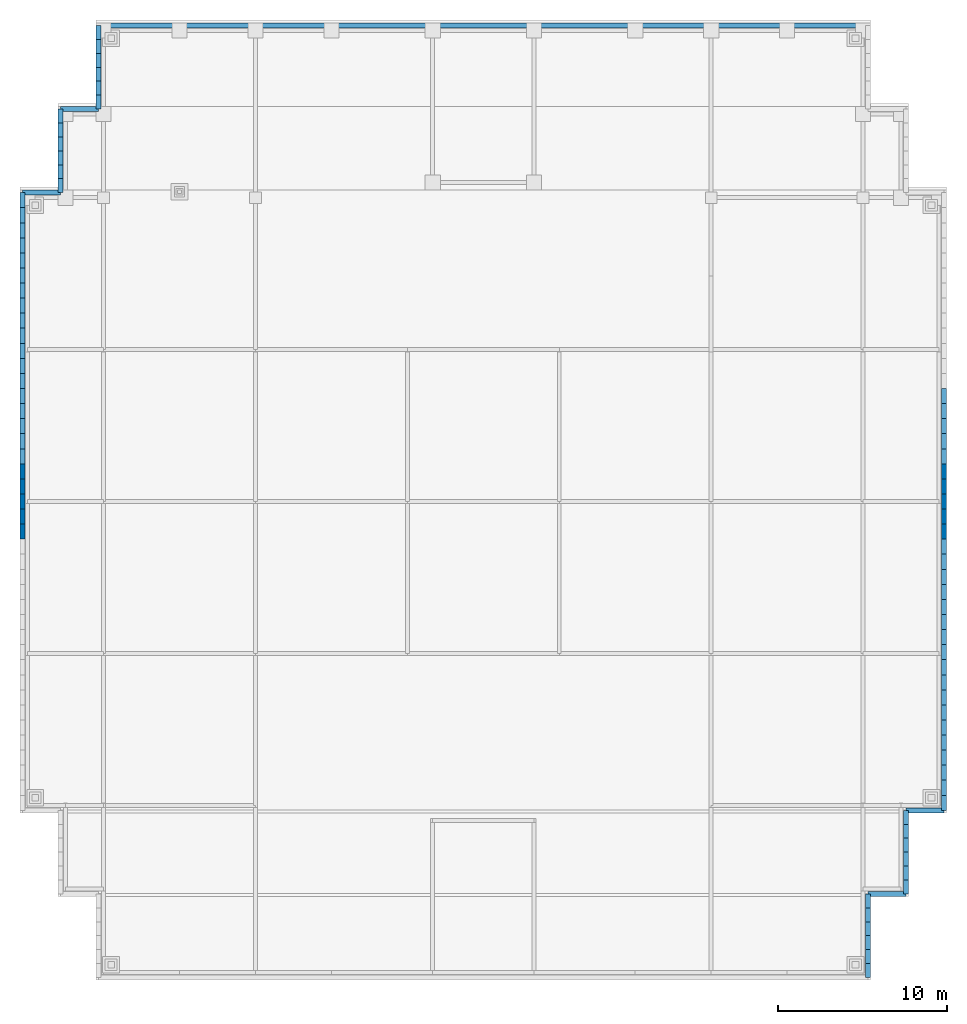
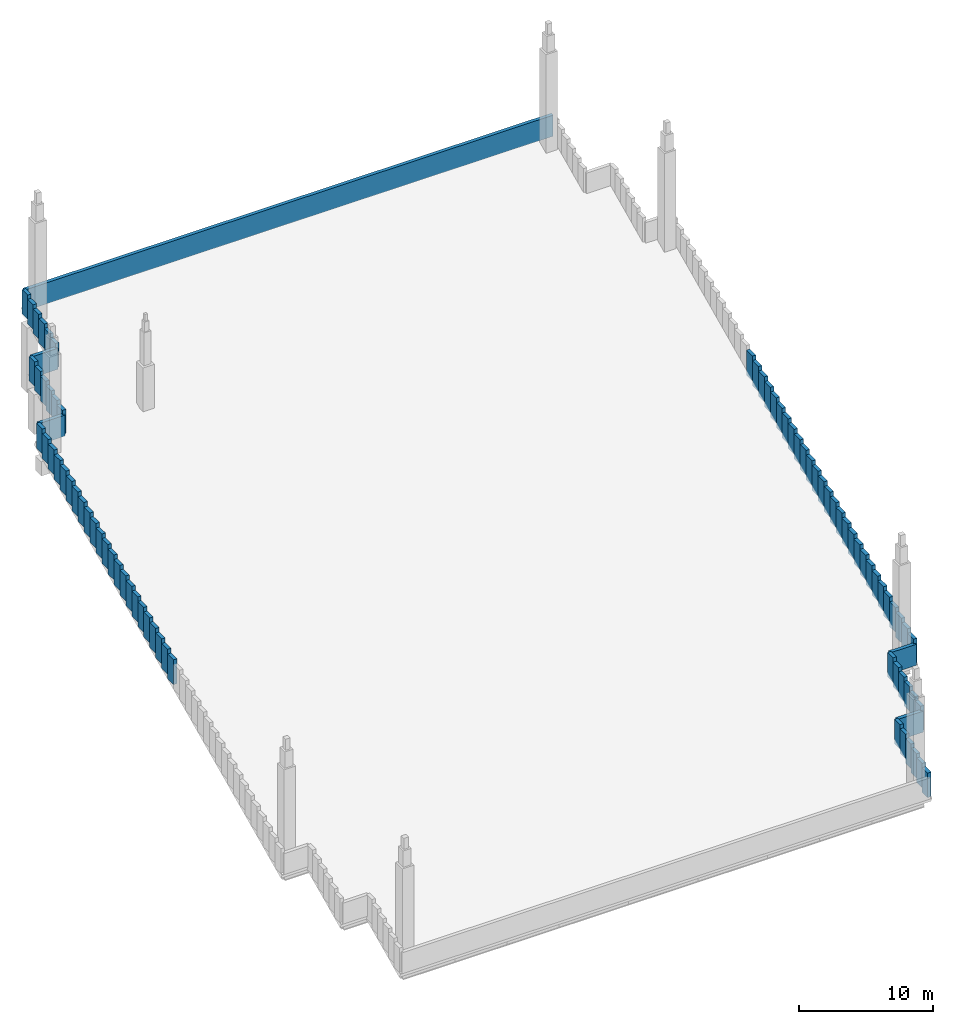
# One storey, part 3 of 5: 80 walls.
"""IFC4 building model written with IfcOpenShell, lengths in metres."""

from ifc_helpers import new_model, si_unit, direction, frame, frame_2d, origin, place, context, subcontext, project, spatial, rectangle, extrude, material, layer, layer_set, type_object, element, save


model = new_model("IFC4")

# Units and contexts
model_context = context("Model", 3, precision=1e-05, world=origin(), true_north=direction((0.0, 1.0)))
body_context = subcontext(model_context, "Body", "Model", "MODEL_VIEW")
ifc_project = project(units=[si_unit("LENGTHUNIT", "METRE"), si_unit("AREAUNIT", "SQUARE_METRE"), si_unit("VOLUMEUNIT", "CUBIC_METRE"), si_unit("PLANEANGLEUNIT", "RADIAN"), si_unit("MASSUNIT", "GRAM", prefix="KILO")], contexts=[model_context])

# Site, building, storey
site_placement = place(None, origin())
site = spatial("IfcSite", under=ifc_project, at=site_placement, CompositionType="ELEMENT")
building_placement = place(site_placement, origin())
building = spatial("IfcBuilding", under=site, at=building_placement, Name="Corbelhall Arena Tower", CompositionType="ELEMENT")
storey_placement = place(building_placement, frame((0.0, 0.0, 391.0)))
storey = spatial("IfcBuildingStorey", under=building, at=storey_placement, Name="Roof", CompositionType="ELEMENT", Elevation=391.0)

# Walls
ifc_material = material(Name="Precast concrete C40/50 with granite facing", Category="masonry")
ifc_layer = layer(ifc_material, 0.300048828125)
ifc_layer_set = layer_set([ifc_layer], Name="EV-IW3 Parapet 300")
wall_type = type_object("IfcWallType", Name="EV-IW3 Parapet 300", PredefinedType="SOLIDWALL", material=ifc_layer_set)
for number, where, z_axis, x_axis, name in (
    (1, (-25.050048828125, 18.300048828125, 2.52685546875), (0.0, 0.0, 1.0), (0.0, 1.0, 0.0), "Roof parapet"),
    (2, (-25.050048828125, 19.125, 2.911376953125), (0.0, 0.0, 1.0), (0.0, 1.0, 0.0), "Roof parapet"),
    (3, (-25.050048828125, 19.949951171875, 3.295654296875), (0.0, 0.0, 1.0), (0.0, 1.0, 0.0), "Roof parapet"),
):
    element("IfcWall", number, at=place(storey_placement, frame(where, z_axis=z_axis, x_axis=x_axis)), inside=storey, type_object=wall_type, Name=name, PredefinedType="SOLIDWALL", context=body_context, shape_type="SweptSolid", body=[
        extrude(rectangle(XDim=0.824951171875, YDim=0.300048828125, at=frame_2d((0.41259765625, 0.0))), origin(), (0.0, 0.0, 1.0), 2.234375),
    ])
wall_1_placement = place(storey_placement, frame((-25.050048828125, 20.77490234375, 3.68017578125), z_axis=(0.0, 0.0, 1.0), x_axis=(0.0, 1.0, 0.0)))
element("IfcWall", 4, at=wall_1_placement, inside=storey, type_object=wall_type, Name="Roof parapet", PredefinedType="SOLIDWALL", context=body_context, shape_type="SweptSolid", body=[
    extrude(rectangle(XDim=0.8251953125, YDim=0.300048828125, at=frame_2d((0.41259765625, 0.0))), origin(), (0.0, 0.0, 1.0), 2.234375),
])
for number, where, z_axis, x_axis, name in (
    (5, (-25.050048828125, 21.60009765625, 4.064453125), (0.0, 0.0, 1.0), (0.0, 1.0, 0.0), "Roof parapet"),
    (6, (-25.050048828125, 22.425048828125, 4.448974609375), (0.0, 0.0, 1.0), (0.0, 1.0, 0.0), "Roof parapet"),
):
    element("IfcWall", number, at=place(storey_placement, frame(where, z_axis=z_axis, x_axis=x_axis)), inside=storey, type_object=wall_type, Name=name, PredefinedType="SOLIDWALL", context=body_context, shape_type="SweptSolid", body=[
        extrude(rectangle(XDim=0.824951171875, YDim=0.300048828125, at=frame_2d((0.41259765625, 0.0))), origin(), (0.0, 0.0, 1.0), 2.234375),
    ])
wall_2_placement = place(storey_placement, frame((-25.050048828125, 23.25, 4.763427734375), z_axis=(0.0, 0.0, 1.0), x_axis=(1.0, 0.0, 0.0)))
element("IfcWall", 7, at=wall_2_placement, inside=storey, type_object=wall_type, Name="Roof parapet", PredefinedType="SOLIDWALL", context=body_context, shape_type="SweptSolid", body=[
    extrude(rectangle(XDim=2.25, YDim=0.300048828125, at=frame_2d((1.125, 0.0))), origin(), (0.0, 0.0, 1.0), 1.919921875),
])
for number, where, z_axis, x_axis, name in (
    (8, (-22.800048828125, 23.25, 4.833251953125), (0.0, 0.0, 1.0), (0.0, 1.0, 0.0), "Roof parapet"),
    (9, (-22.800048828125, 24.074951171875, 5.2177734375), (0.0, 0.0, 1.0), (0.0, 1.0, 0.0), "Roof parapet"),
):
    element("IfcWall", number, at=place(storey_placement, frame(where, z_axis=z_axis, x_axis=x_axis)), inside=storey, type_object=wall_type, Name=name, PredefinedType="SOLIDWALL", context=body_context, shape_type="SweptSolid", body=[
        extrude(rectangle(XDim=0.824951171875, YDim=0.300048828125, at=frame_2d((0.41259765625, 0.0))), origin(), (0.0, 0.0, 1.0), 2.234375),
    ])
wall_3_placement = place(storey_placement, frame((-22.800048828125, 24.89990234375, 5.60205078125), z_axis=(0.0, 0.0, 1.0), x_axis=(0.0, 1.0, 0.0)))
element("IfcWall", 10, at=wall_3_placement, inside=storey, type_object=wall_type, Name="Roof parapet", PredefinedType="SOLIDWALL", context=body_context, shape_type="SweptSolid", body=[
    extrude(rectangle(XDim=0.8251953125, YDim=0.300048828125, at=frame_2d((0.41259765625, 0.0))), origin(), (0.0, 0.0, 1.0), 2.234619140625),
])
wall_4_placement = place(storey_placement, frame((-22.800048828125, 25.72509765625, 5.986572265625), z_axis=(0.0, 0.0, 1.0), x_axis=(0.0, 1.0, 0.0)))
element("IfcWall", 11, at=wall_4_placement, inside=storey, type_object=wall_type, Name="Roof parapet", PredefinedType="SOLIDWALL", context=body_context, shape_type="SweptSolid", body=[
    extrude(rectangle(XDim=0.824951171875, YDim=0.300048828125, at=frame_2d((0.41259765625, 0.0))), origin(), (0.0, 0.0, 1.0), 2.234375),
])
wall_5_placement = place(storey_placement, frame((-22.800048828125, 26.550048828125, 6.370849609375), z_axis=(0.0, 0.0, 1.0), x_axis=(0.0, 1.0, 0.0)))
element("IfcWall", 12, at=wall_5_placement, inside=storey, type_object=wall_type, Name="Roof parapet", PredefinedType="SOLIDWALL", context=body_context, shape_type="SweptSolid", body=[
    extrude(rectangle(XDim=0.824951171875, YDim=0.300048828125, at=frame_2d((0.41259765625, 0.0))), origin(), (0.0, 0.0, 1.0), 2.234619140625),
])
wall_6_placement = place(storey_placement, frame((-22.800048828125, 27.375, 6.75537109375), z_axis=(0.0, 0.0, 1.0), x_axis=(0.0, 1.0, 0.0)))
element("IfcWall", 13, at=wall_6_placement, inside=storey, type_object=wall_type, Name="Roof parapet", PredefinedType="SOLIDWALL", context=body_context, shape_type="SweptSolid", body=[
    extrude(rectangle(XDim=0.824951171875, YDim=0.300048828125, at=frame_2d((0.41259765625, 0.0))), origin(), (0.0, 0.0, 1.0), 2.234375),
])
wall_7_placement = place(storey_placement, frame((-22.800048828125, 28.199951171875, 7.06982421875), z_axis=(0.0, 0.0, 1.0), x_axis=(1.0, 0.0, 0.0)))
element("IfcWall", 14, at=wall_7_placement, inside=storey, type_object=wall_type, Name="Roof parapet", PredefinedType="SOLIDWALL", context=body_context, shape_type="SweptSolid", body=[
    extrude(rectangle(XDim=45.60009765625, YDim=0.300048828125, at=frame_2d((22.800048828125, 0.0))), origin(), (0.0, 0.0, 1.0), 1.919921875),
])
wall_8_placement = place(storey_placement, frame((27.300048828125, 6.695068359375, -3.29638671875), z_axis=(0.0, 0.0, 1.0), x_axis=(0.0, -1.0, 0.0)))
element("IfcWall", 15, at=wall_8_placement, inside=storey, type_object=wall_type, Name="Roof parapet", PredefinedType="SOLIDWALL", context=body_context, shape_type="SweptSolid", body=[
    extrude(rectangle(XDim=0.892578125, YDim=0.300048828125, at=frame_2d((0.4462890625, 0.0))), origin(), (0.0, 0.0, 1.0), 2.265869140625),
])
wall_9_placement = place(storey_placement, frame((27.300048828125, 5.802490234375, -3.71240234375), z_axis=(0.0, 0.0, 1.0), x_axis=(0.0, -1.0, 0.0)))
element("IfcWall", 16, at=wall_9_placement, inside=storey, type_object=wall_type, Name="Roof parapet", PredefinedType="SOLIDWALL", context=body_context, shape_type="SweptSolid", body=[
    extrude(rectangle(XDim=0.892822265625, YDim=0.300048828125, at=frame_2d((0.4462890625, 0.0))), origin(), (0.0, 0.0, 1.0), 2.26611328125),
])
for number, where, z_axis, x_axis, name in (
    (17, (27.300048828125, 4.90966796875, -4.128173828125), (0.0, 0.0, 1.0), (0.0, -1.0, 0.0), "Roof parapet"),
    (18, (27.300048828125, 4.01708984375, -4.544189453125), (0.0, 0.0, 1.0), (0.0, -1.0, 0.0), "Roof parapet"),
):
    element("IfcWall", number, at=place(storey_placement, frame(where, z_axis=z_axis, x_axis=x_axis)), inside=storey, type_object=wall_type, Name=name, PredefinedType="SOLIDWALL", context=body_context, shape_type="SweptSolid", body=[
        extrude(rectangle(XDim=0.892578125, YDim=0.300048828125, at=frame_2d((0.4462890625, 0.0))), origin(), (0.0, 0.0, 1.0), 2.265869140625),
    ])
wall_10_placement = place(storey_placement, frame((27.300048828125, 3.12451171875, -4.960205078125), z_axis=(0.0, 0.0, 1.0), x_axis=(0.0, -1.0, 0.0)))
element("IfcWall", 19, at=wall_10_placement, inside=storey, type_object=wall_type, Name="Roof parapet", PredefinedType="SOLIDWALL", context=body_context, shape_type="SweptSolid", body=[
    extrude(rectangle(XDim=0.892822265625, YDim=0.300048828125, at=frame_2d((0.4462890625, 0.0))), origin(), (0.0, 0.0, 1.0), 2.26611328125),
])
wall_11_placement = place(storey_placement, frame((27.300048828125, 2.231689453125, -5.3759765625), z_axis=(0.0, 0.0, 1.0), x_axis=(0.0, -1.0, 0.0)))
element("IfcWall", 20, at=wall_11_placement, inside=storey, type_object=wall_type, Name="Roof parapet", PredefinedType="SOLIDWALL", context=body_context, shape_type="SweptSolid", body=[
    extrude(rectangle(XDim=0.892578125, YDim=0.300048828125, at=frame_2d((0.4462890625, 0.0))), origin(), (0.0, 0.0, 1.0), 2.265869140625),
])
wall_12_placement = place(storey_placement, frame((27.300048828125, 1.339111328125, -5.7919921875), z_axis=(0.0, 0.0, 1.0), x_axis=(0.0, -1.0, 0.0)))
element("IfcWall", 21, at=wall_12_placement, inside=storey, type_object=wall_type, Name="Roof parapet", PredefinedType="SOLIDWALL", context=body_context, shape_type="SweptSolid", body=[
    extrude(rectangle(XDim=0.892822265625, YDim=0.300048828125, at=frame_2d((0.4462890625, 0.0))), origin(), (0.0, 0.0, 1.0), 2.265869140625),
])
wall_13_placement = place(storey_placement, frame((27.300048828125, 0.4462890625, -6.2080078125), z_axis=(0.0, 0.0, 1.0), x_axis=(0.0, -1.0, 0.0)))
element("IfcWall", 22, at=wall_13_placement, inside=storey, type_object=wall_type, Name="Roof parapet", PredefinedType="SOLIDWALL", context=body_context, shape_type="SweptSolid", body=[
    extrude(rectangle(XDim=0.892578125, YDim=0.300048828125, at=frame_2d((0.4462890625, 0.0))), origin(), (0.0, 0.0, 1.0), 2.265869140625),
])
wall_14_placement = place(storey_placement, frame((27.300048828125, -0.4462890625, -6.6240234375), z_axis=(0.0, 0.0, 1.0), x_axis=(0.0, -1.0, 0.0)))
element("IfcWall", 23, at=wall_14_placement, inside=storey, type_object=wall_type, Name="Roof parapet", PredefinedType="SOLIDWALL", context=body_context, shape_type="SweptSolid", body=[
    extrude(rectangle(XDim=0.892822265625, YDim=0.300048828125, at=frame_2d((0.4462890625, 0.0))), origin(), (0.0, 0.0, 1.0), 2.26611328125),
])
wall_15_placement = place(storey_placement, frame((27.300048828125, -1.339111328125, -7.039794921875), z_axis=(0.0, 0.0, 1.0), x_axis=(0.0, -1.0, 0.0)))
element("IfcWall", 24, at=wall_15_placement, inside=storey, type_object=wall_type, Name="Roof parapet", PredefinedType="SOLIDWALL", context=body_context, shape_type="SweptSolid", body=[
    extrude(rectangle(XDim=0.892578125, YDim=0.300048828125, at=frame_2d((0.4462890625, 0.0))), origin(), (0.0, 0.0, 1.0), 2.265869140625),
])
wall_16_placement = place(storey_placement, frame((27.300048828125, -2.231689453125, -7.455810546875), z_axis=(0.0, 0.0, 1.0), x_axis=(0.0, -1.0, 0.0)))
element("IfcWall", 25, at=wall_16_placement, inside=storey, type_object=wall_type, Name="Roof parapet", PredefinedType="SOLIDWALL", context=body_context, shape_type="SweptSolid", body=[
    extrude(rectangle(XDim=0.892822265625, YDim=0.300048828125, at=frame_2d((0.4462890625, 0.0))), origin(), (0.0, 0.0, 1.0), 2.265869140625),
])
wall_17_placement = place(storey_placement, frame((27.300048828125, -3.12451171875, -7.871826171875), z_axis=(0.0, 0.0, 1.0), x_axis=(0.0, -1.0, 0.0)))
element("IfcWall", 26, at=wall_17_placement, inside=storey, type_object=wall_type, Name="Roof parapet", PredefinedType="SOLIDWALL", context=body_context, shape_type="SweptSolid", body=[
    extrude(rectangle(XDim=0.892578125, YDim=0.300048828125, at=frame_2d((0.4462890625, 0.0))), origin(), (0.0, 0.0, 1.0), 2.26611328125),
])
wall_18_placement = place(storey_placement, frame((27.300048828125, -4.01708984375, -8.28759765625), z_axis=(0.0, 0.0, 1.0), x_axis=(0.0, -1.0, 0.0)))
element("IfcWall", 27, at=wall_18_placement, inside=storey, type_object=wall_type, Name="Roof parapet", PredefinedType="SOLIDWALL", context=body_context, shape_type="SweptSolid", body=[
    extrude(rectangle(XDim=0.892578125, YDim=0.300048828125, at=frame_2d((0.4462890625, 0.0))), origin(), (0.0, 0.0, 1.0), 2.265869140625),
])
wall_19_placement = place(storey_placement, frame((27.300048828125, -4.90966796875, -8.70361328125), z_axis=(0.0, 0.0, 1.0), x_axis=(0.0, -1.0, 0.0)))
element("IfcWall", 28, at=wall_19_placement, inside=storey, type_object=wall_type, Name="Roof parapet", PredefinedType="SOLIDWALL", context=body_context, shape_type="SweptSolid", body=[
    extrude(rectangle(XDim=0.892822265625, YDim=0.300048828125, at=frame_2d((0.4462890625, 0.0))), origin(), (0.0, 0.0, 1.0), 2.265869140625),
])
wall_20_placement = place(storey_placement, frame((27.300048828125, -5.802490234375, -9.11962890625), z_axis=(0.0, 0.0, 1.0), x_axis=(0.0, -1.0, 0.0)))
element("IfcWall", 29, at=wall_20_placement, inside=storey, type_object=wall_type, Name="Roof parapet", PredefinedType="SOLIDWALL", context=body_context, shape_type="SweptSolid", body=[
    extrude(rectangle(XDim=0.892578125, YDim=0.300048828125, at=frame_2d((0.4462890625, 0.0))), origin(), (0.0, 0.0, 1.0), 2.265869140625),
])
wall_21_placement = place(storey_placement, frame((27.300048828125, -6.695068359375, -9.53564453125), z_axis=(0.0, 0.0, 1.0), x_axis=(0.0, -1.0, 0.0)))
element("IfcWall", 30, at=wall_21_placement, inside=storey, type_object=wall_type, Name="Roof parapet", PredefinedType="SOLIDWALL", context=body_context, shape_type="SweptSolid", body=[
    extrude(rectangle(XDim=0.892822265625, YDim=0.300048828125, at=frame_2d((0.4462890625, 0.0))), origin(), (0.0, 0.0, 1.0), 2.26611328125),
])
wall_22_placement = place(storey_placement, frame((27.300048828125, -7.587890625, -9.951416015625), z_axis=(0.0, 0.0, 1.0), x_axis=(0.0, -1.0, 0.0)))
element("IfcWall", 31, at=wall_22_placement, inside=storey, type_object=wall_type, Name="Roof parapet", PredefinedType="SOLIDWALL", context=body_context, shape_type="SweptSolid", body=[
    extrude(rectangle(XDim=0.892578125, YDim=0.300048828125, at=frame_2d((0.4462890625, 0.0))), origin(), (0.0, 0.0, 1.0), 2.265869140625),
])
wall_23_placement = place(storey_placement, frame((27.300048828125, -8.48046875, -10.367431640625), z_axis=(0.0, 0.0, 1.0), x_axis=(0.0, -1.0, 0.0)))
element("IfcWall", 32, at=wall_23_placement, inside=storey, type_object=wall_type, Name="Roof parapet", PredefinedType="SOLIDWALL", context=body_context, shape_type="SweptSolid", body=[
    extrude(rectangle(XDim=0.892822265625, YDim=0.300048828125, at=frame_2d((0.4462890625, 0.0))), origin(), (0.0, 0.0, 1.0), 2.265869140625),
])
wall_24_placement = place(storey_placement, frame((27.300048828125, -9.373291015625, -10.783447265625), z_axis=(0.0, 0.0, 1.0), x_axis=(0.0, -1.0, 0.0)))
element("IfcWall", 33, at=wall_24_placement, inside=storey, type_object=wall_type, Name="Roof parapet", PredefinedType="SOLIDWALL", context=body_context, shape_type="SweptSolid", body=[
    extrude(rectangle(XDim=0.892578125, YDim=0.300048828125, at=frame_2d((0.4462890625, 0.0))), origin(), (0.0, 0.0, 1.0), 2.26611328125),
])
wall_25_placement = place(storey_placement, frame((27.300048828125, -10.265869140625, -11.19921875), z_axis=(0.0, 0.0, 1.0), x_axis=(0.0, -1.0, 0.0)))
element("IfcWall", 34, at=wall_25_placement, inside=storey, type_object=wall_type, Name="Roof parapet", PredefinedType="SOLIDWALL", context=body_context, shape_type="SweptSolid", body=[
    extrude(rectangle(XDim=0.892578125, YDim=0.300048828125, at=frame_2d((0.4462890625, 0.0))), origin(), (0.0, 0.0, 1.0), 2.265869140625),
])
wall_26_placement = place(storey_placement, frame((27.300048828125, -11.158447265625, -11.615234375), z_axis=(0.0, 0.0, 1.0), x_axis=(0.0, -1.0, 0.0)))
element("IfcWall", 35, at=wall_26_placement, inside=storey, type_object=wall_type, Name="Roof parapet", PredefinedType="SOLIDWALL", context=body_context, shape_type="SweptSolid", body=[
    extrude(rectangle(XDim=0.892822265625, YDim=0.300048828125, at=frame_2d((0.4462890625, 0.0))), origin(), (0.0, 0.0, 1.0), 2.265869140625),
])
wall_27_placement = place(storey_placement, frame((27.300048828125, -12.05126953125, -12.03125), z_axis=(0.0, 0.0, 1.0), x_axis=(0.0, -1.0, 0.0)))
element("IfcWall", 36, at=wall_27_placement, inside=storey, type_object=wall_type, Name="Roof parapet", PredefinedType="SOLIDWALL", context=body_context, shape_type="SweptSolid", body=[
    extrude(rectangle(XDim=0.892578125, YDim=0.300048828125, at=frame_2d((0.4462890625, 0.0))), origin(), (0.0, 0.0, 1.0), 2.265869140625),
])
wall_28_placement = place(storey_placement, frame((27.300048828125, -12.94384765625, -12.447265625), z_axis=(0.0, 0.0, 1.0), x_axis=(0.0, -1.0, 0.0)))
element("IfcWall", 37, at=wall_28_placement, inside=storey, type_object=wall_type, Name="Roof parapet", PredefinedType="SOLIDWALL", context=body_context, shape_type="SweptSolid", body=[
    extrude(rectangle(XDim=0.892822265625, YDim=0.300048828125, at=frame_2d((0.4462890625, 0.0))), origin(), (0.0, 0.0, 1.0), 2.26611328125),
])
wall_29_placement = place(storey_placement, frame((27.300048828125, -13.836669921875, -12.863037109375), z_axis=(0.0, 0.0, 1.0), x_axis=(0.0, -1.0, 0.0)))
element("IfcWall", 38, at=wall_29_placement, inside=storey, type_object=wall_type, Name="Roof parapet", PredefinedType="SOLIDWALL", context=body_context, shape_type="SweptSolid", body=[
    extrude(rectangle(XDim=0.892578125, YDim=0.300048828125, at=frame_2d((0.4462890625, 0.0))), origin(), (0.0, 0.0, 1.0), 2.265869140625),
])
wall_30_placement = place(storey_placement, frame((27.300048828125, -14.729248046875, -13.279052734375), z_axis=(0.0, 0.0, 1.0), x_axis=(0.0, -1.0, 0.0)))
element("IfcWall", 39, at=wall_30_placement, inside=storey, type_object=wall_type, Name="Roof parapet", PredefinedType="SOLIDWALL", context=body_context, shape_type="SweptSolid", body=[
    extrude(rectangle(XDim=0.892822265625, YDim=0.300048828125, at=frame_2d((0.4462890625, 0.0))), origin(), (0.0, 0.0, 1.0), 2.265869140625),
])
wall_31_placement = place(storey_placement, frame((27.300048828125, -15.6220703125, -13.695068359375), z_axis=(0.0, 0.0, 1.0), x_axis=(0.0, -1.0, 0.0)))
element("IfcWall", 40, at=wall_31_placement, inside=storey, type_object=wall_type, Name="Roof parapet", PredefinedType="SOLIDWALL", context=body_context, shape_type="SweptSolid", body=[
    extrude(rectangle(XDim=0.892578125, YDim=0.300048828125, at=frame_2d((0.4462890625, 0.0))), origin(), (0.0, 0.0, 1.0), 2.26611328125),
])
wall_32_placement = place(storey_placement, frame((27.300048828125, -16.5146484375, -14.11083984375), z_axis=(0.0, 0.0, 1.0), x_axis=(0.0, -1.0, 0.0)))
element("IfcWall", 41, at=wall_32_placement, inside=storey, type_object=wall_type, Name="Roof parapet", PredefinedType="SOLIDWALL", context=body_context, shape_type="SweptSolid", body=[
    extrude(rectangle(XDim=0.892578125, YDim=0.300048828125, at=frame_2d((0.4462890625, 0.0))), origin(), (0.0, 0.0, 1.0), 2.265869140625),
])
wall_33_placement = place(storey_placement, frame((27.300048828125, -17.4072265625, -14.52685546875), z_axis=(0.0, 0.0, 1.0), x_axis=(0.0, -1.0, 0.0)))
element("IfcWall", 42, at=wall_33_placement, inside=storey, type_object=wall_type, Name="Roof parapet", PredefinedType="SOLIDWALL", context=body_context, shape_type="SweptSolid", body=[
    extrude(rectangle(XDim=0.892822265625, YDim=0.300048828125, at=frame_2d((0.4462890625, 0.0))), origin(), (0.0, 0.0, 1.0), 2.265869140625),
])
wall_34_placement = place(storey_placement, frame((27.300048828125, -18.300048828125, -14.5966796875), z_axis=(0.0, 0.0, 1.0), x_axis=(-1.0, 0.0, 0.0)))
element("IfcWall", 43, at=wall_34_placement, inside=storey, type_object=wall_type, Name="Roof parapet", PredefinedType="SOLIDWALL", context=body_context, shape_type="SweptSolid", body=[
    extrude(rectangle(XDim=2.25, YDim=0.300048828125, at=frame_2d((1.125, 0.0))), origin(), (0.0, 0.0, 1.0), 1.919677734375),
])
for number, where, z_axis, x_axis, name in (
    (44, (25.050048828125, -18.300048828125, -14.911376953125), (0.0, 0.0, 1.0), (0.0, -1.0, 0.0), "Roof parapet"),
    (45, (25.050048828125, -19.125, -15.295654296875), (0.0, 0.0, 1.0), (0.0, -1.0, 0.0), "Roof parapet"),
    (46, (25.050048828125, -19.949951171875, -15.68017578125), (0.0, 0.0, 1.0), (0.0, -1.0, 0.0), "Roof parapet"),
):
    element("IfcWall", number, at=place(storey_placement, frame(where, z_axis=z_axis, x_axis=x_axis)), inside=storey, type_object=wall_type, Name=name, PredefinedType="SOLIDWALL", context=body_context, shape_type="SweptSolid", body=[
        extrude(rectangle(XDim=0.824951171875, YDim=0.300048828125, at=frame_2d((0.41259765625, 0.0))), origin(), (0.0, 0.0, 1.0), 2.234375),
    ])
wall_35_placement = place(storey_placement, frame((25.050048828125, -20.77490234375, -16.064453125), z_axis=(0.0, 0.0, 1.0), x_axis=(0.0, -1.0, 0.0)))
element("IfcWall", 47, at=wall_35_placement, inside=storey, type_object=wall_type, Name="Roof parapet", PredefinedType="SOLIDWALL", context=body_context, shape_type="SweptSolid", body=[
    extrude(rectangle(XDim=0.8251953125, YDim=0.300048828125, at=frame_2d((0.41259765625, 0.0))), origin(), (0.0, 0.0, 1.0), 2.234375),
])
for number, where, z_axis, x_axis, name in (
    (48, (25.050048828125, -21.60009765625, -16.448974609375), (0.0, 0.0, 1.0), (0.0, -1.0, 0.0), "Roof parapet"),
    (49, (25.050048828125, -22.425048828125, -16.833251953125), (0.0, 0.0, 1.0), (0.0, -1.0, 0.0), "Roof parapet"),
):
    element("IfcWall", number, at=place(storey_placement, frame(where, z_axis=z_axis, x_axis=x_axis)), inside=storey, type_object=wall_type, Name=name, PredefinedType="SOLIDWALL", context=body_context, shape_type="SweptSolid", body=[
        extrude(rectangle(XDim=0.824951171875, YDim=0.300048828125, at=frame_2d((0.41259765625, 0.0))), origin(), (0.0, 0.0, 1.0), 2.234375),
    ])
wall_36_placement = place(storey_placement, frame((25.050048828125, -23.25, -16.9033203125), z_axis=(0.0, 0.0, 1.0), x_axis=(-1.0, 0.0, 0.0)))
element("IfcWall", 50, at=wall_36_placement, inside=storey, type_object=wall_type, Name="Roof parapet", PredefinedType="SOLIDWALL", context=body_context, shape_type="SweptSolid", body=[
    extrude(rectangle(XDim=2.25, YDim=0.300048828125, at=frame_2d((1.125, 0.0))), origin(), (0.0, 0.0, 1.0), 1.919921875),
])
for number, where, z_axis, x_axis, name in (
    (51, (22.800048828125, -23.25, -17.2177734375), (0.0, 0.0, 1.0), (0.0, -1.0, 0.0), "Roof parapet"),
    (52, (22.800048828125, -24.074951171875, -17.60205078125), (0.0, 0.0, 1.0), (0.0, -1.0, 0.0), "Roof parapet"),
):
    element("IfcWall", number, at=place(storey_placement, frame(where, z_axis=z_axis, x_axis=x_axis)), inside=storey, type_object=wall_type, Name=name, PredefinedType="SOLIDWALL", context=body_context, shape_type="SweptSolid", body=[
        extrude(rectangle(XDim=0.824951171875, YDim=0.300048828125, at=frame_2d((0.41259765625, 0.0))), origin(), (0.0, 0.0, 1.0), 2.234375),
    ])
wall_37_placement = place(storey_placement, frame((22.800048828125, -24.89990234375, -17.986572265625), z_axis=(0.0, 0.0, 1.0), x_axis=(0.0, -1.0, 0.0)))
element("IfcWall", 53, at=wall_37_placement, inside=storey, type_object=wall_type, Name="Roof parapet", PredefinedType="SOLIDWALL", context=body_context, shape_type="SweptSolid", body=[
    extrude(rectangle(XDim=0.8251953125, YDim=0.300048828125, at=frame_2d((0.41259765625, 0.0))), origin(), (0.0, 0.0, 1.0), 2.234375),
])
for number, where, z_axis, x_axis, name in (
    (54, (22.800048828125, -25.72509765625, -18.370849609375), (0.0, 0.0, 1.0), (0.0, -1.0, 0.0), "Roof parapet"),
    (55, (22.800048828125, -26.550048828125, -18.75537109375), (0.0, 0.0, 1.0), (0.0, -1.0, 0.0), "Roof parapet"),
):
    element("IfcWall", number, at=place(storey_placement, frame(where, z_axis=z_axis, x_axis=x_axis)), inside=storey, type_object=wall_type, Name=name, PredefinedType="SOLIDWALL", context=body_context, shape_type="SweptSolid", body=[
        extrude(rectangle(XDim=0.824951171875, YDim=0.300048828125, at=frame_2d((0.41259765625, 0.0))), origin(), (0.0, 0.0, 1.0), 2.234375),
    ])
wall_38_placement = place(storey_placement, frame((22.800048828125, -27.375, -19.139892578125), z_axis=(0.0, 0.0, 1.0), x_axis=(0.0, -1.0, 0.0)))
element("IfcWall", 56, at=wall_38_placement, inside=storey, type_object=wall_type, Name="Roof parapet", PredefinedType="SOLIDWALL", context=body_context, shape_type="SweptSolid", body=[
    extrude(rectangle(XDim=0.824951171875, YDim=0.300048828125, at=frame_2d((0.41259765625, 0.0))), origin(), (0.0, 0.0, 1.0), 2.234619140625),
])
wall_39_placement = place(storey_placement, frame((-27.300048828125, -2.231689453125, -7.039794921875), z_axis=(0.0, 0.0, 1.0), x_axis=(0.0, 1.0, 0.0)))
element("IfcWall", 57, at=wall_39_placement, inside=storey, type_object=wall_type, Name="Roof parapet", PredefinedType="SOLIDWALL", context=body_context, shape_type="SweptSolid", body=[
    extrude(rectangle(XDim=0.892578125, YDim=0.300048828125, at=frame_2d((0.4462890625, 0.0))), origin(), (0.0, 0.0, 1.0), 2.265869140625),
])
wall_40_placement = place(storey_placement, frame((-27.300048828125, -1.339111328125, -6.6240234375), z_axis=(0.0, 0.0, 1.0), x_axis=(0.0, 1.0, 0.0)))
element("IfcWall", 58, at=wall_40_placement, inside=storey, type_object=wall_type, Name="Roof parapet", PredefinedType="SOLIDWALL", context=body_context, shape_type="SweptSolid", body=[
    extrude(rectangle(XDim=0.892822265625, YDim=0.300048828125, at=frame_2d((0.4462890625, 0.0))), origin(), (0.0, 0.0, 1.0), 2.26611328125),
])
wall_41_placement = place(storey_placement, frame((-27.300048828125, -0.4462890625, -6.2080078125), z_axis=(0.0, 0.0, 1.0), x_axis=(0.0, 1.0, 0.0)))
element("IfcWall", 59, at=wall_41_placement, inside=storey, type_object=wall_type, Name="Roof parapet", PredefinedType="SOLIDWALL", context=body_context, shape_type="SweptSolid", body=[
    extrude(rectangle(XDim=0.892578125, YDim=0.300048828125, at=frame_2d((0.4462890625, 0.0))), origin(), (0.0, 0.0, 1.0), 2.265869140625),
])
wall_42_placement = place(storey_placement, frame((-27.300048828125, 0.4462890625, -5.7919921875), z_axis=(0.0, 0.0, 1.0), x_axis=(0.0, 1.0, 0.0)))
element("IfcWall", 60, at=wall_42_placement, inside=storey, type_object=wall_type, Name="Roof parapet", PredefinedType="SOLIDWALL", context=body_context, shape_type="SweptSolid", body=[
    extrude(rectangle(XDim=0.892822265625, YDim=0.300048828125, at=frame_2d((0.4462890625, 0.0))), origin(), (0.0, 0.0, 1.0), 2.265869140625),
])
wall_43_placement = place(storey_placement, frame((-27.300048828125, 1.339111328125, -5.3759765625), z_axis=(0.0, 0.0, 1.0), x_axis=(0.0, 1.0, 0.0)))
element("IfcWall", 61, at=wall_43_placement, inside=storey, type_object=wall_type, Name="Roof parapet", PredefinedType="SOLIDWALL", context=body_context, shape_type="SweptSolid", body=[
    extrude(rectangle(XDim=0.892578125, YDim=0.300048828125, at=frame_2d((0.4462890625, 0.0))), origin(), (0.0, 0.0, 1.0), 2.265869140625),
])
wall_44_placement = place(storey_placement, frame((-27.300048828125, 2.231689453125, -4.960205078125), z_axis=(0.0, 0.0, 1.0), x_axis=(0.0, 1.0, 0.0)))
element("IfcWall", 62, at=wall_44_placement, inside=storey, type_object=wall_type, Name="Roof parapet", PredefinedType="SOLIDWALL", context=body_context, shape_type="SweptSolid", body=[
    extrude(rectangle(XDim=0.892822265625, YDim=0.300048828125, at=frame_2d((0.4462890625, 0.0))), origin(), (0.0, 0.0, 1.0), 2.26611328125),
])
for number, where, z_axis, x_axis, name in (
    (63, (-27.300048828125, 3.12451171875, -4.544189453125), (0.0, 0.0, 1.0), (0.0, 1.0, 0.0), "Roof parapet"),
    (64, (-27.300048828125, 4.01708984375, -4.128173828125), (0.0, 0.0, 1.0), (0.0, 1.0, 0.0), "Roof parapet"),
):
    element("IfcWall", number, at=place(storey_placement, frame(where, z_axis=z_axis, x_axis=x_axis)), inside=storey, type_object=wall_type, Name=name, PredefinedType="SOLIDWALL", context=body_context, shape_type="SweptSolid", body=[
        extrude(rectangle(XDim=0.892578125, YDim=0.300048828125, at=frame_2d((0.4462890625, 0.0))), origin(), (0.0, 0.0, 1.0), 2.265869140625),
    ])
wall_45_placement = place(storey_placement, frame((-27.300048828125, 4.90966796875, -3.71240234375), z_axis=(0.0, 0.0, 1.0), x_axis=(0.0, 1.0, 0.0)))
element("IfcWall", 65, at=wall_45_placement, inside=storey, type_object=wall_type, Name="Roof parapet", PredefinedType="SOLIDWALL", context=body_context, shape_type="SweptSolid", body=[
    extrude(rectangle(XDim=0.892822265625, YDim=0.300048828125, at=frame_2d((0.4462890625, 0.0))), origin(), (0.0, 0.0, 1.0), 2.26611328125),
])
wall_46_placement = place(storey_placement, frame((-27.300048828125, 5.802490234375, -3.29638671875), z_axis=(0.0, 0.0, 1.0), x_axis=(0.0, 1.0, 0.0)))
element("IfcWall", 66, at=wall_46_placement, inside=storey, type_object=wall_type, Name="Roof parapet", PredefinedType="SOLIDWALL", context=body_context, shape_type="SweptSolid", body=[
    extrude(rectangle(XDim=0.892578125, YDim=0.300048828125, at=frame_2d((0.4462890625, 0.0))), origin(), (0.0, 0.0, 1.0), 2.265869140625),
])
wall_47_placement = place(storey_placement, frame((-27.300048828125, 6.695068359375, -2.88037109375), z_axis=(0.0, 0.0, 1.0), x_axis=(0.0, 1.0, 0.0)))
element("IfcWall", 67, at=wall_47_placement, inside=storey, type_object=wall_type, Name="Roof parapet", PredefinedType="SOLIDWALL", context=body_context, shape_type="SweptSolid", body=[
    extrude(rectangle(XDim=0.892822265625, YDim=0.300048828125, at=frame_2d((0.4462890625, 0.0))), origin(), (0.0, 0.0, 1.0), 2.265869140625),
])
wall_48_placement = place(storey_placement, frame((-27.300048828125, 7.587890625, -2.46435546875), z_axis=(0.0, 0.0, 1.0), x_axis=(0.0, 1.0, 0.0)))
element("IfcWall", 68, at=wall_48_placement, inside=storey, type_object=wall_type, Name="Roof parapet", PredefinedType="SOLIDWALL", context=body_context, shape_type="SweptSolid", body=[
    extrude(rectangle(XDim=0.892578125, YDim=0.300048828125, at=frame_2d((0.4462890625, 0.0))), origin(), (0.0, 0.0, 1.0), 2.265869140625),
])
wall_49_placement = place(storey_placement, frame((-27.300048828125, 8.48046875, -2.048583984375), z_axis=(0.0, 0.0, 1.0), x_axis=(0.0, 1.0, 0.0)))
element("IfcWall", 69, at=wall_49_placement, inside=storey, type_object=wall_type, Name="Roof parapet", PredefinedType="SOLIDWALL", context=body_context, shape_type="SweptSolid", body=[
    extrude(rectangle(XDim=0.892822265625, YDim=0.300048828125, at=frame_2d((0.4462890625, 0.0))), origin(), (0.0, 0.0, 1.0), 2.26611328125),
])
for number, where, z_axis, x_axis, name in (
    (70, (-27.300048828125, 9.373291015625, -1.632568359375), (0.0, 0.0, 1.0), (0.0, 1.0, 0.0), "Roof parapet"),
    (71, (-27.300048828125, 10.265869140625, -1.216552734375), (0.0, 0.0, 1.0), (0.0, 1.0, 0.0), "Roof parapet"),
):
    element("IfcWall", number, at=place(storey_placement, frame(where, z_axis=z_axis, x_axis=x_axis)), inside=storey, type_object=wall_type, Name=name, PredefinedType="SOLIDWALL", context=body_context, shape_type="SweptSolid", body=[
        extrude(rectangle(XDim=0.892578125, YDim=0.300048828125, at=frame_2d((0.4462890625, 0.0))), origin(), (0.0, 0.0, 1.0), 2.265869140625),
    ])
wall_50_placement = place(storey_placement, frame((-27.300048828125, 11.158447265625, -0.80078125), z_axis=(0.0, 0.0, 1.0), x_axis=(0.0, 1.0, 0.0)))
element("IfcWall", 72, at=wall_50_placement, inside=storey, type_object=wall_type, Name="Roof parapet", PredefinedType="SOLIDWALL", context=body_context, shape_type="SweptSolid", body=[
    extrude(rectangle(XDim=0.892822265625, YDim=0.300048828125, at=frame_2d((0.4462890625, 0.0))), origin(), (0.0, 0.0, 1.0), 2.26611328125),
])
wall_51_placement = place(storey_placement, frame((-27.300048828125, 12.05126953125, -0.384765625), z_axis=(0.0, 0.0, 1.0), x_axis=(0.0, 1.0, 0.0)))
element("IfcWall", 73, at=wall_51_placement, inside=storey, type_object=wall_type, Name="Roof parapet", PredefinedType="SOLIDWALL", context=body_context, shape_type="SweptSolid", body=[
    extrude(rectangle(XDim=0.892578125, YDim=0.300048828125, at=frame_2d((0.4462890625, 0.0))), origin(), (0.0, 0.0, 1.0), 2.265869140625),
])
wall_52_placement = place(storey_placement, frame((-27.300048828125, 12.94384765625, 0.03125), z_axis=(0.0, 0.0, 1.0), x_axis=(0.0, 1.0, 0.0)))
element("IfcWall", 74, at=wall_52_placement, inside=storey, type_object=wall_type, Name="Roof parapet", PredefinedType="SOLIDWALL", context=body_context, shape_type="SweptSolid", body=[
    extrude(rectangle(XDim=0.892822265625, YDim=0.300048828125, at=frame_2d((0.4462890625, 0.0))), origin(), (0.0, 0.0, 1.0), 2.265869140625),
])
wall_53_placement = place(storey_placement, frame((-27.300048828125, 13.836669921875, 0.447265625), z_axis=(0.0, 0.0, 1.0), x_axis=(0.0, 1.0, 0.0)))
element("IfcWall", 75, at=wall_53_placement, inside=storey, type_object=wall_type, Name="Roof parapet", PredefinedType="SOLIDWALL", context=body_context, shape_type="SweptSolid", body=[
    extrude(rectangle(XDim=0.892578125, YDim=0.300048828125, at=frame_2d((0.4462890625, 0.0))), origin(), (0.0, 0.0, 1.0), 2.265869140625),
])
wall_54_placement = place(storey_placement, frame((-27.300048828125, 14.729248046875, 0.863037109375), z_axis=(0.0, 0.0, 1.0), x_axis=(0.0, 1.0, 0.0)))
element("IfcWall", 76, at=wall_54_placement, inside=storey, type_object=wall_type, Name="Roof parapet", PredefinedType="SOLIDWALL", context=body_context, shape_type="SweptSolid", body=[
    extrude(rectangle(XDim=0.892822265625, YDim=0.300048828125, at=frame_2d((0.4462890625, 0.0))), origin(), (0.0, 0.0, 1.0), 2.26611328125),
])
for number, where, z_axis, x_axis, name in (
    (77, (-27.300048828125, 15.6220703125, 1.279052734375), (0.0, 0.0, 1.0), (0.0, 1.0, 0.0), "Roof parapet"),
    (78, (-27.300048828125, 16.5146484375, 1.695068359375), (0.0, 0.0, 1.0), (0.0, 1.0, 0.0), "Roof parapet"),
):
    element("IfcWall", number, at=place(storey_placement, frame(where, z_axis=z_axis, x_axis=x_axis)), inside=storey, type_object=wall_type, Name=name, PredefinedType="SOLIDWALL", context=body_context, shape_type="SweptSolid", body=[
        extrude(rectangle(XDim=0.892578125, YDim=0.300048828125, at=frame_2d((0.4462890625, 0.0))), origin(), (0.0, 0.0, 1.0), 2.265869140625),
    ])
wall_55_placement = place(storey_placement, frame((-27.300048828125, 17.4072265625, 2.11083984375), z_axis=(0.0, 0.0, 1.0), x_axis=(0.0, 1.0, 0.0)))
element("IfcWall", 79, at=wall_55_placement, inside=storey, type_object=wall_type, Name="Roof parapet", PredefinedType="SOLIDWALL", context=body_context, shape_type="SweptSolid", body=[
    extrude(rectangle(XDim=0.892822265625, YDim=0.300048828125, at=frame_2d((0.4462890625, 0.0))), origin(), (0.0, 0.0, 1.0), 2.26611328125),
])
wall_56_placement = place(storey_placement, frame((-27.300048828125, 18.300048828125, 2.45703125), z_axis=(0.0, 0.0, 1.0), x_axis=(1.0, 0.0, 0.0)))
element("IfcWall", 80, at=wall_56_placement, inside=storey, type_object=wall_type, Name="Roof parapet", PredefinedType="SOLIDWALL", context=body_context, shape_type="SweptSolid", body=[
    extrude(rectangle(XDim=2.25, YDim=0.300048828125, at=frame_2d((1.125, 0.0))), origin(), (0.0, 0.0, 1.0), 1.919921875),
])

save(model, "model.ifc")
